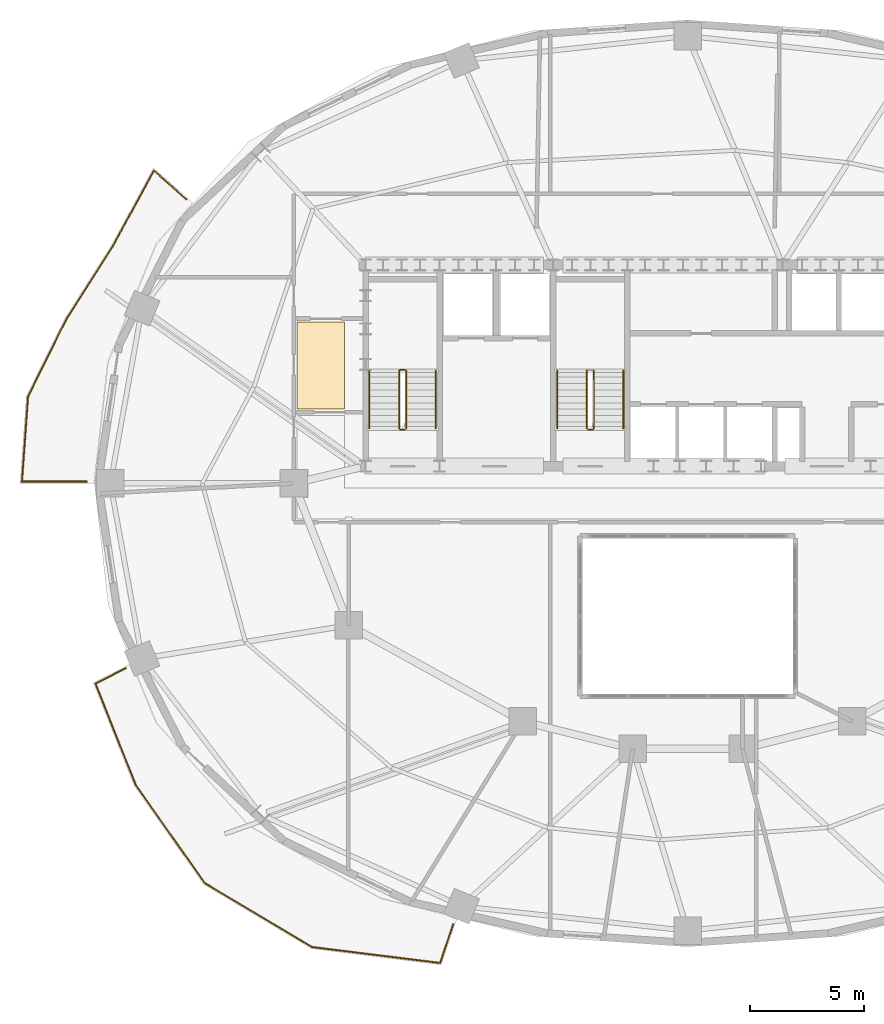
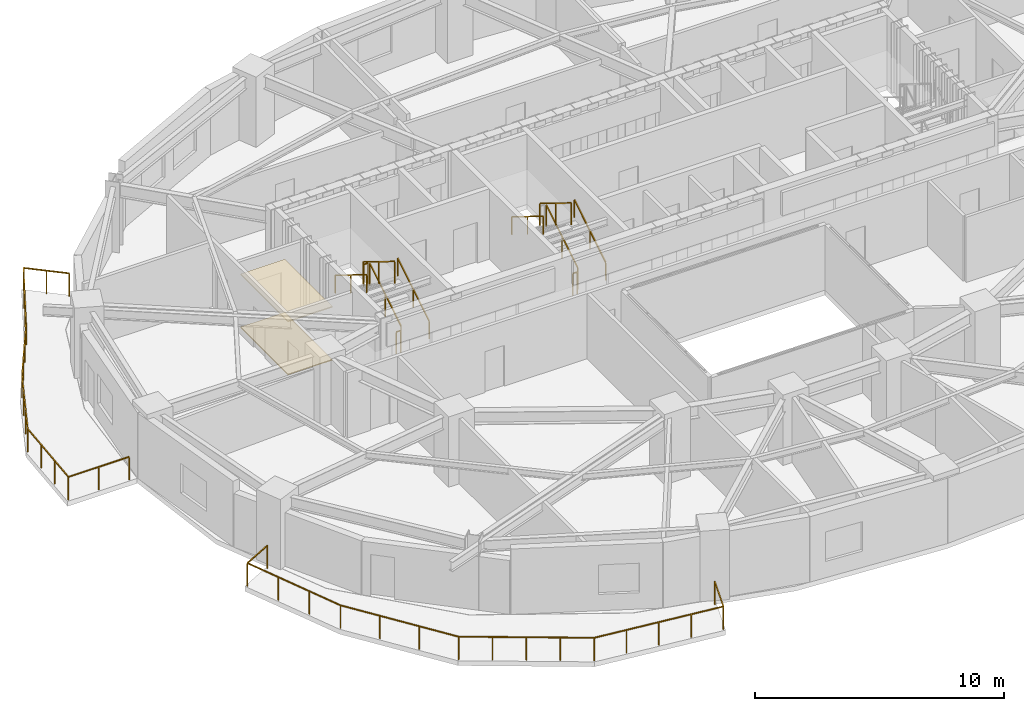
# One storey, part 9 of 11: 13 railings, 2 coverings.
"""IFC4 building model written with IfcOpenShell, lengths in metres."""

from ifc_helpers import new_model, si_unit, direction, frame, origin, origin_2d, place, context, subcontext, project, spatial, polyline, rectangle, outline, extrude, material, layer, layer_set, type_object, element, save


model = new_model("IFC4")

# Units and contexts
model_context = context("Model", 3, precision=1e-05, world=origin(), true_north=direction((0.0, 1.0)))
body_context = subcontext(model_context, "Body", "Model", "MODEL_VIEW")
ifc_project = project(units=[si_unit("LENGTHUNIT", "METRE"), si_unit("AREAUNIT", "SQUARE_METRE"), si_unit("VOLUMEUNIT", "CUBIC_METRE"), si_unit("PLANEANGLEUNIT", "RADIAN"), si_unit("MASSUNIT", "GRAM", prefix="KILO")], contexts=[model_context])

# Site, building, storey
site_placement = place(None, origin())
site = spatial("IfcSite", under=ifc_project, at=site_placement, CompositionType="ELEMENT")
building_placement = place(site_placement, origin())
building = spatial("IfcBuilding", under=site, at=building_placement, Name="Haldorwick Loom Tower", CompositionType="ELEMENT")
storey_placement = place(building_placement, frame((0.0, 0.0, 164.800048828125)))
storey = spatial("IfcBuildingStorey", under=building, at=storey_placement, Name="L44", CompositionType="ELEMENT", Elevation=164.800048828125)

# Coverings
ifc_material_1 = material(Name="Mineral Fibre Acoustic Ceiling Tile")
ifc_layer_1 = layer(ifc_material_1, 0.054931640625, Name="Mineral Fibre Acoustic Ceiling Tile")
ifc_layer_set_1 = layer_set([ifc_layer_1], Name="Mineral Fibre Acoustic Ceiling Tile")
covering_type_1 = type_object("IfcCoveringType", Name="ARC-COV-CEIL2", PredefinedType="CEILING", material=ifc_layer_set_1)
covering_1_placement = place(storey_placement, frame((0.0, 0.0, 2.594970703125)))
element("IfcCovering", 1, at=covering_1_placement, inside=storey, type_object=covering_type_1, Name="L44 Acoustic Suspended Ceiling 2", PredefinedType="CEILING", context=body_context, shape_type="SweptSolid", body=[
    extrude(outline(polyline([(18.93994140625, 33.06005859375), (18.93994140625, 29.239990234375), (21.0, 29.239990234375), (21.0, 33.06005859375), (18.93994140625, 33.06005859375)])), origin(), (0.0, 0.0, 1.0), 0.054931640625),
])
ifc_material_2 = material(Name="Polished Aggregate Terrazzo Finish")
ifc_layer_2 = layer(ifc_material_2, 0.044921875, Name="Polished Aggregate Terrazzo Finish")
ifc_layer_set_2 = layer_set([ifc_layer_2], Name="Polished Aggregate Terrazzo Finish")
covering_type_2 = type_object("IfcCoveringType", Name="ARC-COV-FLOOR2", PredefinedType="FLOORING", material=ifc_layer_set_2)
covering_2_placement = place(storey_placement, origin())
element("IfcCovering", 2, at=covering_2_placement, inside=storey, type_object=covering_type_2, Name="L44 Floor Finish 2", PredefinedType="FLOORING", context=body_context, shape_type="SweptSolid", body=[
    extrude(outline(polyline([(18.93994140625, 33.06005859375), (18.93994140625, 29.239990234375), (21.0, 29.239990234375), (21.0, 33.06005859375), (18.93994140625, 33.06005859375)])), origin(), (0.0, 0.0, 1.0), 0.044921875),
])

# Railings
ifc_material_3 = material(Name="Galvanized Steel CSA G40.21 350W", Category="steel")
railing_type_1 = type_object("IfcRailingType", Name="ARC-RLG-BAL115", PredefinedType="BALUSTRADE", material=ifc_material_3)
railing_1_placement = place(storey_placement, frame((25.75390625, 6.72900390625, 0.0)))
element("IfcRailing", 3, at=railing_1_placement, inside=storey, type_object=railing_type_1, Name="L44 Outdoor Terrace Guardrail SLB-L44-BAL_SW-1", PredefinedType="BALUSTRADE", context=body_context, shape_type="SweptSolid", body=[
    extrude(rectangle(XDim=0.048095703125, YDim=0.048095703125, at=origin_2d()), frame((0.0, 0.0, 1.1259765625), z_axis=(-0.320886637071, -0.94711760946, 0.0), x_axis=(0.94711760946, -0.320886637071, 0.0)), (0.0, 0.0, 1.0), 1.77490234375),
    extrude(rectangle(XDim=0.048095703125, YDim=0.048095703125, at=origin_2d()), frame((-0.569580078125, -1.68115234375, 1.1259765625), z_axis=(-0.992333036754, 0.123592654179, 0.0), x_axis=(-0.123592654179, -0.992333036754, 0.0)), (0.0, 0.0, 1.0), 5.6416015625),
    extrude(rectangle(XDim=0.048095703125, YDim=0.048095703125, at=origin_2d()), frame((-6.16796875, -0.98388671875, 1.1259765625), z_axis=(-0.858668085407, 0.512532066415, 0.0), x_axis=(-0.512532066415, -0.858668085407, 0.0)), (0.0, 0.0, 1.0), 5.4521484375),
    extrude(rectangle(XDim=0.048095703125, YDim=0.048095703125, at=origin_2d()), frame((-10.849609375, 1.810546875, 1.1259765625), z_axis=(-0.575818159114, 0.817577793017, 0.0), x_axis=(-0.817577793017, -0.575818159114, 0.0)), (0.0, 0.0, 1.0), 5.23193359375),
    extrude(rectangle(XDim=0.048095703125, YDim=0.048095703125, at=origin_2d()), frame((-13.8623046875, 6.088134765625, 1.1259765625), z_axis=(-0.368892536215, 0.929472052686, 0.0), x_axis=(-0.929472052686, -0.368892536215, 0.0)), (0.0, 0.0, 1.0), 4.77099609375),
    extrude(rectangle(XDim=0.048095703125, YDim=0.048095703125, at=origin_2d()), frame((-15.622314453125, 10.522705078125, 1.1259765625), z_axis=(0.892261986487, 0.451518047778, 0.0), x_axis=(-0.451518047778, 0.892261986487, 0.0)), (0.0, 0.0, 1.0), 1.472900390625),
    extrude(rectangle(XDim=0.0419921875, YDim=0.0419921875, at=origin_2d()), origin(), (0.0, 0.0, 1.0), 1.101806640625),
    extrude(rectangle(XDim=0.0419921875, YDim=0.0419921875, at=origin_2d()), frame((-0.569580078125, -1.68115234375, 0.0)), (0.0, 0.0, 1.0), 1.101806640625),
    extrude(rectangle(XDim=0.0419921875, YDim=0.0419921875, at=origin_2d()), frame((-1.96923828125, -1.5068359375, 0.0)), (0.0, 0.0, 1.0), 1.101806640625),
    extrude(rectangle(XDim=0.0419921875, YDim=0.0419921875, at=origin_2d()), frame((-3.36865234375, -1.33251953125, 0.0)), (0.0, 0.0, 1.0), 1.101806640625),
    extrude(rectangle(XDim=0.0419921875, YDim=0.0419921875, at=origin_2d()), frame((-4.768310546875, -1.158203125, 0.0)), (0.0, 0.0, 1.0), 1.101806640625),
    extrude(rectangle(XDim=0.0419921875, YDim=0.0419921875, at=origin_2d()), frame((-6.16796875, -0.98388671875, 0.0)), (0.0, 0.0, 1.0), 1.101806640625),
    extrude(rectangle(XDim=0.0419921875, YDim=0.0419921875, at=origin_2d()), frame((-7.33837890625, -0.28515625, 0.0)), (0.0, 0.0, 1.0), 1.101806640625),
    extrude(rectangle(XDim=0.0419921875, YDim=0.0419921875, at=origin_2d()), frame((-8.5087890625, 0.413330078125, 0.0)), (0.0, 0.0, 1.0), 1.101806640625),
    extrude(rectangle(XDim=0.0419921875, YDim=0.0419921875, at=origin_2d()), frame((-9.67919921875, 1.11181640625, 0.0)), (0.0, 0.0, 1.0), 1.101806640625),
    extrude(rectangle(XDim=0.0419921875, YDim=0.0419921875, at=origin_2d()), frame((-10.849609375, 1.810546875, 0.0)), (0.0, 0.0, 1.0), 1.101806640625),
    extrude(rectangle(XDim=0.0419921875, YDim=0.0419921875, at=origin_2d()), frame((-11.853759765625, 3.236328125, 0.0)), (0.0, 0.0, 1.0), 1.101806640625),
    extrude(rectangle(XDim=0.0419921875, YDim=0.0419921875, at=origin_2d()), frame((-12.858154296875, 4.662353515625, 0.0)), (0.0, 0.0, 1.0), 1.101806640625),
    extrude(rectangle(XDim=0.0419921875, YDim=0.0419921875, at=origin_2d()), frame((-13.8623046875, 6.088134765625, 0.0)), (0.0, 0.0, 1.0), 1.101806640625),
    extrude(rectangle(XDim=0.0419921875, YDim=0.0419921875, at=origin_2d()), frame((-14.448974609375, 7.56640625, 0.0)), (0.0, 0.0, 1.0), 1.101806640625),
    extrude(rectangle(XDim=0.0419921875, YDim=0.0419921875, at=origin_2d()), frame((-15.03564453125, 9.04443359375, 0.0)), (0.0, 0.0, 1.0), 1.101806640625),
    extrude(rectangle(XDim=0.0419921875, YDim=0.0419921875, at=origin_2d()), frame((-15.622314453125, 10.522705078125, 0.0)), (0.0, 0.0, 1.0), 1.101806640625),
    extrude(rectangle(XDim=0.0419921875, YDim=0.0419921875, at=origin_2d()), frame((-14.30810546875, 11.187744140625, 0.0)), (0.0, 0.0, 1.0), 1.101806640625),
])
railing_2_placement = place(storey_placement, frame((9.73974609375, 26.080078125, 0.0)))
element("IfcRailing", 4, at=railing_2_placement, inside=storey, type_object=railing_type_1, Name="L44 Outdoor Terrace Guardrail SLB-L44-BAL_WNW-1", PredefinedType="BALUSTRADE", context=body_context, shape_type="SweptSolid", body=[
    extrude(rectangle(XDim=0.048095703125, YDim=0.048095703125, at=origin_2d()), frame((0.0, 0.0, 1.1259765625), z_axis=(-1.0, 0.0, 0.0), x_axis=(0.0, -1.0, 0.0)), (0.0, 0.0, 1.0), 2.82080078125),
    extrude(rectangle(XDim=0.048095703125, YDim=0.048095703125, at=origin_2d()), frame((-2.82080078125, 0.0, 1.1259765625), z_axis=(0.071391076537, 0.997448401769, 0.0), x_axis=(-0.997448401769, 0.071391076537, 0.0)), (0.0, 0.0, 1.0), 3.734375),
    extrude(rectangle(XDim=0.048095703125, YDim=0.048095703125, at=origin_2d()), frame((-2.55419921875, 3.724853515625, 1.1259765625), z_axis=(0.445570186233, 0.895247010127, 0.0), x_axis=(-0.895247010127, 0.445570186233, 0.0)), (0.0, 0.0, 1.0), 3.804931640625),
    extrude(rectangle(XDim=0.048095703125, YDim=0.048095703125, at=origin_2d()), frame((-0.85888671875, 7.131103515625, 1.1259765625), z_axis=(0.537781060041, 0.843084533995, 0.0), x_axis=(-0.843084533995, 0.537781060041, 0.0)), (0.0, 0.0, 1.0), 3.71435546875),
    extrude(rectangle(XDim=0.048095703125, YDim=0.048095703125, at=origin_2d()), frame((1.138671875, 10.2626953125, 1.1259765625), z_axis=(0.501036270542, 0.865426285481, 0.0), x_axis=(-0.865426285481, 0.501036270542, 0.0)), (0.0, 0.0, 1.0), 0.00537109375),
    extrude(rectangle(XDim=0.048095703125, YDim=0.048095703125, at=origin_2d()), frame((1.141357421875, 10.267333984375, 1.1259765625), z_axis=(0.477375598096, 0.878699344681, 0.0), x_axis=(-0.878699344681, 0.477375598096, 0.0)), (0.0, 0.0, 1.0), 3.7783203125),
    extrude(rectangle(XDim=0.048095703125, YDim=0.048095703125, at=origin_2d()), frame((2.945068359375, 13.58740234375, 1.1259765625), z_axis=(0.745995297982, -0.665951210967, 0.0), x_axis=(0.665951210967, 0.745995297982, 0.0)), (0.0, 0.0, 1.0), 1.87890625),
    extrude(rectangle(XDim=0.0419921875, YDim=0.0419921875, at=origin_2d()), origin(), (0.0, 0.0, 1.0), 1.101806640625),
    extrude(rectangle(XDim=0.0419921875, YDim=0.0419921875, at=origin_2d()), frame((-1.410400390625, 0.0, 0.0)), (0.0, 0.0, 1.0), 1.101806640625),
    extrude(rectangle(XDim=0.0419921875, YDim=0.0419921875, at=origin_2d()), frame((-2.82080078125, 0.0, 0.0)), (0.0, 0.0, 1.0), 1.101806640625),
    extrude(rectangle(XDim=0.0419921875, YDim=0.0419921875, at=origin_2d()), frame((-2.73193359375, 1.24169921875, 0.0)), (0.0, 0.0, 1.0), 1.101806640625),
    extrude(rectangle(XDim=0.0419921875, YDim=0.0419921875, at=origin_2d()), frame((-2.64306640625, 2.483154296875, 0.0)), (0.0, 0.0, 1.0), 1.101806640625),
    extrude(rectangle(XDim=0.0419921875, YDim=0.0419921875, at=origin_2d()), frame((-2.55419921875, 3.724853515625, 0.0)), (0.0, 0.0, 1.0), 1.101806640625),
    extrude(rectangle(XDim=0.0419921875, YDim=0.0419921875, at=origin_2d()), frame((-1.989013671875, 4.8603515625, 0.0)), (0.0, 0.0, 1.0), 1.101806640625),
    extrude(rectangle(XDim=0.0419921875, YDim=0.0419921875, at=origin_2d()), frame((-1.424072265625, 5.99560546875, 0.0)), (0.0, 0.0, 1.0), 1.101806640625),
    extrude(rectangle(XDim=0.0419921875, YDim=0.0419921875, at=origin_2d()), frame((-0.85888671875, 7.131103515625, 0.0)), (0.0, 0.0, 1.0), 1.101806640625),
    extrude(rectangle(XDim=0.0419921875, YDim=0.0419921875, at=origin_2d()), frame((-0.193115234375, 8.175048828125, 0.0)), (0.0, 0.0, 1.0), 1.101806640625),
    extrude(rectangle(XDim=0.0419921875, YDim=0.0419921875, at=origin_2d()), frame((0.472900390625, 9.21875, 0.0)), (0.0, 0.0, 1.0), 1.101806640625),
    extrude(rectangle(XDim=0.0419921875, YDim=0.0419921875, at=origin_2d()), frame((1.138671875, 10.2626953125, 0.0)), (0.0, 0.0, 1.0), 1.101806640625),
    extrude(rectangle(XDim=0.0419921875, YDim=0.0419921875, at=origin_2d()), frame((1.74267578125, 11.3740234375, 0.0)), (0.0, 0.0, 1.0), 1.101806640625),
    extrude(rectangle(XDim=0.0419921875, YDim=0.0419921875, at=origin_2d()), frame((2.34375, 12.480712890625, 0.0)), (0.0, 0.0, 1.0), 1.101806640625),
    extrude(rectangle(XDim=0.0419921875, YDim=0.0419921875, at=origin_2d()), frame((2.945068359375, 13.58740234375, 0.0)), (0.0, 0.0, 1.0), 1.101806640625),
    extrude(rectangle(XDim=0.0419921875, YDim=0.0419921875, at=origin_2d()), frame((3.64599609375, 12.9619140625, 0.0)), (0.0, 0.0, 1.0), 1.101806640625),
    extrude(rectangle(XDim=0.0419921875, YDim=0.0419921875, at=origin_2d()), frame((4.3466796875, 12.336181640625, 0.0)), (0.0, 0.0, 1.0), 1.101806640625),
])
ifc_material_4 = material(Name="Steel CSA G40.21 350W", Category="steel")
railing_type_2 = type_object("IfcRailingType", Name="ARC-RLG-GUARD112", PredefinedType="GUARDRAIL", material=ifc_material_4)
railing_3_placement = place(storey_placement, frame((23.699951171875, 28.39990234375, 0.17236328125)))
element("IfcRailing", 5, at=railing_3_placement, inside=storey, type_object=railing_type_2, Name="L44 ST-01 stair guard 1", PredefinedType="GUARDRAIL", context=body_context, shape_type="SweptSolid", body=[
    extrude(rectangle(XDim=0.048095703125, YDim=0.048095703125, at=origin_2d()), frame((0.0, 0.0, 1.076171875), z_axis=(0.0, 0.851400495292, 0.524516154772), x_axis=(-1.0, 0.0, 0.0)), (0.0, 0.0, 1.0), 2.9599609375),
    extrude(rectangle(XDim=0.0419921875, YDim=0.0419921875, at=origin_2d()), origin(), (0.0, 0.0, 1.0), 1.052001953125),
    extrude(rectangle(XDim=0.0419921875, YDim=0.0419921875, at=origin_2d()), frame((0.0, 1.260009765625, 0.7763671875)), (0.0, 0.0, 1.0), 1.052001953125),
    extrude(rectangle(XDim=0.0419921875, YDim=0.0419921875, at=origin_2d()), frame((0.0, 2.52001953125, 1.552490234375)), (0.0, 0.0, 1.0), 1.052001953125),
])
railing_4_placement = place(storey_placement, frame((23.64990234375, 30.969970703125, 1.724853515625)))
element("IfcRailing", 6, at=railing_4_placement, inside=storey, type_object=railing_type_2, Name="L44 ST-01 stair guard 2", PredefinedType="GUARDRAIL", context=body_context, shape_type="SweptSolid", body=[
    extrude(rectangle(XDim=0.048095703125, YDim=0.048095703125, at=origin_2d()), frame((0.0, 0.0, 1.076171875), z_axis=(-1.0, 0.0, 0.0), x_axis=(0.0, -1.0, 0.0)), (0.0, 0.0, 1.0), 0.199951171875),
    extrude(rectangle(XDim=0.0419921875, YDim=0.0419921875, at=origin_2d()), origin(), (0.0, 0.0, 1.0), 1.052001953125),
    extrude(rectangle(XDim=0.0419921875, YDim=0.0419921875, at=origin_2d()), frame((-0.199951171875, 0.0, 0.0)), (0.0, 0.0, 1.0), 1.052001953125),
])
railing_5_placement = place(storey_placement, frame((23.39990234375, 30.919921875, 1.8974609375)))
element("IfcRailing", 7, at=railing_5_placement, inside=storey, type_object=railing_type_2, Name="L44 ST-01 stair guard 3", PredefinedType="GUARDRAIL", context=body_context, shape_type="SweptSolid", body=[
    extrude(rectangle(XDim=0.048095703125, YDim=0.048095703125, at=origin_2d()), frame((0.0, 0.0, 1.076171875), z_axis=(0.0, -0.851400495292, 0.524516154772), x_axis=(1.0, 0.0, 0.0)), (0.0, 0.0, 1.0), 2.9599609375),
    extrude(rectangle(XDim=0.0419921875, YDim=0.0419921875, at=origin_2d()), origin(), (0.0, 0.0, 1.0), 1.052001953125),
    extrude(rectangle(XDim=0.0419921875, YDim=0.0419921875, at=origin_2d()), frame((0.0, -1.260009765625, 0.7763671875)), (0.0, 0.0, 1.0), 1.052001953125),
    extrude(rectangle(XDim=0.0419921875, YDim=0.0419921875, at=origin_2d()), frame((0.0, -2.52001953125, 1.552490234375)), (0.0, 0.0, 1.0), 1.052001953125),
])
railing_6_placement = place(storey_placement, frame((23.64990234375, 28.35009765625, 0.0)))
element("IfcRailing", 8, at=railing_6_placement, inside=storey, type_object=railing_type_2, Name="L44 ST-01 stair guard 4", PredefinedType="GUARDRAIL", context=body_context, shape_type="SweptSolid", body=[
    extrude(rectangle(XDim=0.048095703125, YDim=0.048095703125, at=origin_2d()), frame((0.0, 0.0, 1.076171875), z_axis=(-1.0, 0.0, 0.0), x_axis=(0.0, -1.0, 0.0)), (0.0, 0.0, 1.0), 0.199951171875),
    extrude(rectangle(XDim=0.0419921875, YDim=0.0419921875, at=origin_2d()), origin(), (0.0, 0.0, 1.0), 1.052001953125),
    extrude(rectangle(XDim=0.0419921875, YDim=0.0419921875, at=origin_2d()), frame((-0.199951171875, 0.0, 0.0)), (0.0, 0.0, 1.0), 1.052001953125),
])
railing_7_placement = place(storey_placement, frame((31.89990234375, 28.39990234375, 0.17236328125)))
element("IfcRailing", 9, at=railing_7_placement, inside=storey, type_object=railing_type_2, Name="L44 ST-03 stair guard 1", PredefinedType="GUARDRAIL", context=body_context, shape_type="SweptSolid", body=[
    extrude(rectangle(XDim=0.048095703125, YDim=0.048095703125, at=origin_2d()), frame((0.0, 0.0, 1.076171875), z_axis=(0.0, 0.851400495292, 0.524516154772), x_axis=(-1.0, 0.0, 0.0)), (0.0, 0.0, 1.0), 2.9599609375),
    extrude(rectangle(XDim=0.0419921875, YDim=0.0419921875, at=origin_2d()), origin(), (0.0, 0.0, 1.0), 1.052001953125),
    extrude(rectangle(XDim=0.0419921875, YDim=0.0419921875, at=origin_2d()), frame((0.0, 1.260009765625, 0.7763671875)), (0.0, 0.0, 1.0), 1.052001953125),
    extrude(rectangle(XDim=0.0419921875, YDim=0.0419921875, at=origin_2d()), frame((0.0, 2.52001953125, 1.552490234375)), (0.0, 0.0, 1.0), 1.052001953125),
])
railing_8_placement = place(storey_placement, frame((31.60009765625, 30.919921875, 1.8974609375)))
element("IfcRailing", 10, at=railing_8_placement, inside=storey, type_object=railing_type_2, Name="L44 ST-03 stair guard 3", PredefinedType="GUARDRAIL", context=body_context, shape_type="SweptSolid", body=[
    extrude(rectangle(XDim=0.048095703125, YDim=0.048095703125, at=origin_2d()), frame((0.0, 0.0, 1.076171875), z_axis=(0.0, -0.851400495292, 0.524516154772), x_axis=(1.0, 0.0, 0.0)), (0.0, 0.0, 1.0), 2.9599609375),
    extrude(rectangle(XDim=0.0419921875, YDim=0.0419921875, at=origin_2d()), origin(), (0.0, 0.0, 1.0), 1.052001953125),
    extrude(rectangle(XDim=0.0419921875, YDim=0.0419921875, at=origin_2d()), frame((0.0, -1.260009765625, 0.7763671875)), (0.0, 0.0, 1.0), 1.052001953125),
    extrude(rectangle(XDim=0.0419921875, YDim=0.0419921875, at=origin_2d()), frame((0.0, -2.52001953125, 1.552490234375)), (0.0, 0.0, 1.0), 1.052001953125),
])
railing_9_placement = place(storey_placement, frame((31.85009765625, 28.35009765625, 0.0)))
element("IfcRailing", 11, at=railing_9_placement, inside=storey, type_object=railing_type_2, Name="L44 ST-03 stair guard 4", PredefinedType="GUARDRAIL", context=body_context, shape_type="SweptSolid", body=[
    extrude(rectangle(XDim=0.048095703125, YDim=0.048095703125, at=origin_2d()), frame((0.0, 0.0, 1.076171875), z_axis=(-1.0, 0.0, 0.0), x_axis=(0.0, -1.0, 0.0)), (0.0, 0.0, 1.0), 0.2001953125),
    extrude(rectangle(XDim=0.0419921875, YDim=0.0419921875, at=origin_2d()), origin(), (0.0, 0.0, 1.0), 1.052001953125),
    extrude(rectangle(XDim=0.0419921875, YDim=0.0419921875, at=origin_2d()), frame((-0.2001953125, 0.0, 0.0)), (0.0, 0.0, 1.0), 1.052001953125),
])
railing_type_3 = type_object("IfcRailingType", Name="ARC-RLG-HAND092", PredefinedType="HANDRAIL", material=ifc_material_4)
railing_10_placement = place(storey_placement, frame((25.0, 28.39990234375, 0.17236328125)))
element("IfcRailing", 12, at=railing_10_placement, inside=storey, type_object=railing_type_3, Name="L44 ST-01 stair handrail 1", PredefinedType="HANDRAIL", context=body_context, shape_type="SweptSolid", body=[
    extrude(rectangle(XDim=0.048095703125, YDim=0.048095703125, at=origin_2d()), frame((0.0, 0.0, 0.8759765625), z_axis=(0.0, 0.851400495292, 0.524516154772), x_axis=(-1.0, 0.0, 0.0)), (0.0, 0.0, 1.0), 2.9599609375),
    extrude(rectangle(XDim=0.0419921875, YDim=0.0419921875, at=origin_2d()), origin(), (0.0, 0.0, 1.0), 0.851806640625),
    extrude(rectangle(XDim=0.0419921875, YDim=0.0419921875, at=origin_2d()), frame((0.0, 1.260009765625, 0.7763671875)), (0.0, 0.0, 1.0), 0.851806640625),
    extrude(rectangle(XDim=0.0419921875, YDim=0.0419921875, at=origin_2d()), frame((0.0, 2.52001953125, 1.552490234375)), (0.0, 0.0, 1.0), 0.851806640625),
])
railing_11_placement = place(storey_placement, frame((22.10009765625, 30.919921875, 1.8974609375)))
element("IfcRailing", 13, at=railing_11_placement, inside=storey, type_object=railing_type_3, Name="L44 ST-01 stair handrail 2", PredefinedType="HANDRAIL", context=body_context, shape_type="SweptSolid", body=[
    extrude(rectangle(XDim=0.048095703125, YDim=0.048095703125, at=origin_2d()), frame((0.0, 0.0, 0.8759765625), z_axis=(0.0, -0.851400495292, 0.524516154772), x_axis=(1.0, 0.0, 0.0)), (0.0, 0.0, 1.0), 2.9599609375),
    extrude(rectangle(XDim=0.0419921875, YDim=0.0419921875, at=origin_2d()), origin(), (0.0, 0.0, 1.0), 0.851806640625),
    extrude(rectangle(XDim=0.0419921875, YDim=0.0419921875, at=origin_2d()), frame((0.0, -1.260009765625, 0.7763671875)), (0.0, 0.0, 1.0), 0.851806640625),
    extrude(rectangle(XDim=0.0419921875, YDim=0.0419921875, at=origin_2d()), frame((0.0, -2.52001953125, 1.552490234375)), (0.0, 0.0, 1.0), 0.851806640625),
])
railing_12_placement = place(storey_placement, frame((33.199951171875, 28.39990234375, 0.17236328125)))
element("IfcRailing", 14, at=railing_12_placement, inside=storey, type_object=railing_type_3, Name="L44 ST-03 stair handrail 1", PredefinedType="HANDRAIL", context=body_context, shape_type="SweptSolid", body=[
    extrude(rectangle(XDim=0.048095703125, YDim=0.048095703125, at=origin_2d()), frame((0.0, 0.0, 0.8759765625), z_axis=(0.0, 0.851400495292, 0.524516154772), x_axis=(-1.0, 0.0, 0.0)), (0.0, 0.0, 1.0), 2.9599609375),
    extrude(rectangle(XDim=0.0419921875, YDim=0.0419921875, at=origin_2d()), origin(), (0.0, 0.0, 1.0), 0.851806640625),
    extrude(rectangle(XDim=0.0419921875, YDim=0.0419921875, at=origin_2d()), frame((0.0, 1.260009765625, 0.7763671875)), (0.0, 0.0, 1.0), 0.851806640625),
    extrude(rectangle(XDim=0.0419921875, YDim=0.0419921875, at=origin_2d()), frame((0.0, 2.52001953125, 1.552490234375)), (0.0, 0.0, 1.0), 0.851806640625),
])
railing_13_placement = place(storey_placement, frame((30.300048828125, 30.919921875, 1.8974609375)))
element("IfcRailing", 15, at=railing_13_placement, inside=storey, type_object=railing_type_3, Name="L44 ST-03 stair handrail 2", PredefinedType="HANDRAIL", context=body_context, shape_type="SweptSolid", body=[
    extrude(rectangle(XDim=0.048095703125, YDim=0.048095703125, at=origin_2d()), frame((0.0, 0.0, 0.8759765625), z_axis=(0.0, -0.851400495292, 0.524516154772), x_axis=(1.0, 0.0, 0.0)), (0.0, 0.0, 1.0), 2.9599609375),
    extrude(rectangle(XDim=0.0419921875, YDim=0.0419921875, at=origin_2d()), origin(), (0.0, 0.0, 1.0), 0.851806640625),
    extrude(rectangle(XDim=0.0419921875, YDim=0.0419921875, at=origin_2d()), frame((0.0, -1.260009765625, 0.7763671875)), (0.0, 0.0, 1.0), 0.851806640625),
    extrude(rectangle(XDim=0.0419921875, YDim=0.0419921875, at=origin_2d()), frame((0.0, -2.52001953125, 1.552490234375)), (0.0, 0.0, 1.0), 0.851806640625),
])

save(model, "model.ifc")
